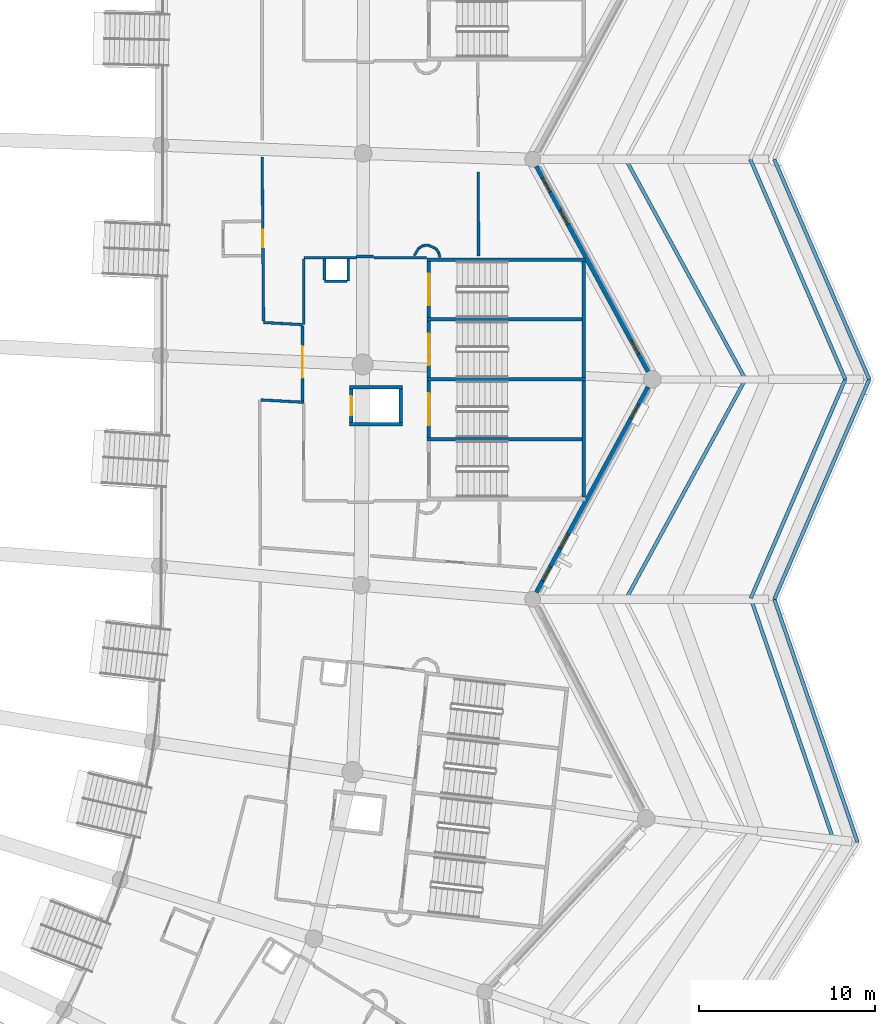
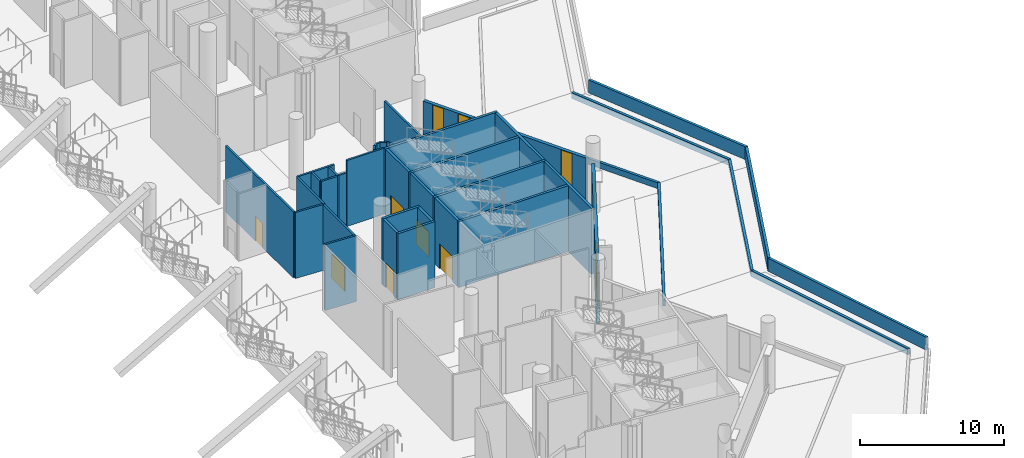
# One storey, part 58 of 173: 41 walls, 6 doors, 6 windows, 12 openings.
"""IFC4 building model written with IfcOpenShell, lengths in metres."""

from ifc_helpers import new_model, si_unit, direction, frame, frame_2d, origin, place, context, subcontext, project, spatial, rectangle, extrude, material, layer, layer_set, type_object, element, fill, save


model = new_model("IFC4")

# Units and contexts
model_context = context("Model", 3, precision=1e-05, world=origin(), true_north=direction((0.0, 1.0)))
body_context = subcontext(model_context, "Body", "Model", "MODEL_VIEW")
ifc_project = project(units=[si_unit("LENGTHUNIT", "METRE"), si_unit("AREAUNIT", "SQUARE_METRE"), si_unit("VOLUMEUNIT", "CUBIC_METRE"), si_unit("PLANEANGLEUNIT", "RADIAN"), si_unit("MASSUNIT", "GRAM", prefix="KILO")], contexts=[model_context])

# Site, building, storey
site_placement = place(None, origin())
site = spatial("IfcSite", under=ifc_project, at=site_placement, CompositionType="ELEMENT")
building_placement = place(site_placement, origin())
building = spatial("IfcBuilding", under=site, at=building_placement, Name="Meseta Stadium", CompositionType="ELEMENT")
storey_placement = place(building_placement, frame((0.0, 0.0, 18.0)))
storey = spatial("IfcBuildingStorey", under=building, at=storey_placement, Name="L03", CompositionType="ELEMENT", Elevation=18.0)

# Walls
ifc_material_1 = material(Name="Concrete C40/50", Category="concrete")
ifc_layer_1 = layer(ifc_material_1, 0.199951171875)
ifc_layer_set_1 = layer_set([ifc_layer_1], Name="Core divider wall 200")
wall_type_1 = type_object("IfcWallType", Name="Core divider wall 200", PredefinedType="SHEAR", material=ifc_layer_set_1)
for number, where, z_axis, x_axis, name in (
    (1, (97.60009765625, -34.64990234375, 0.0), (0.0, 0.0, 1.0), (-1.0, 0.0, 0.0), "Core 02 L03 stair A divider wall"),
    (2, (97.60009765625, -27.85009765625, 0.0), (0.0, 0.0, 1.0), (-1.0, 0.0, 0.0), "Core 02 L03 stair B divider wall"),
):
    element("IfcWall", number, at=place(storey_placement, frame(where, z_axis=z_axis, x_axis=x_axis)), inside=storey, type_object=wall_type_1, Name=name, PredefinedType="SHEAR", context=body_context, shape_type="SweptSolid", body=[
        extrude(rectangle(XDim=9.0, YDim=0.199951171875, at=frame_2d((4.5, 0.0))), origin(), (0.0, 0.0, 1.0), 5.60009765625),
    ])
ifc_material_2 = material(Name="Concrete C40/50", Category="concrete")
ifc_layer_2 = layer(ifc_material_2, 0.199951171875)
ifc_layer_set_2 = layer_set([ifc_layer_2], Name="Core shaft wall 200")
wall_type_2 = type_object("IfcWallType", Name="Core shaft wall 200", PredefinedType="SHEAR", material=ifc_layer_set_2)
for number, where, z_axis, x_axis, name in (
    (3, (97.60009765625, -31.25, 0.0), (0.0, 0.0, 1.0), (-1.0, 0.0, 0.0), "Core 02 L03 stair wall shared"),
    (4, (97.60009765625, -24.449951171875, 0.0), (0.0, 0.0, 1.0), (-1.0, 0.0, 0.0), "Core 02 L03 stair wall B-side"),
):
    element("IfcWall", number, at=place(storey_placement, frame(where, z_axis=z_axis, x_axis=x_axis)), inside=storey, type_object=wall_type_2, Name=name, PredefinedType="SHEAR", context=body_context, shape_type="SweptSolid", body=[
        extrude(rectangle(XDim=9.0, YDim=0.199951171875, at=frame_2d((4.5, 0.0))), origin(), (0.0, 0.0, 1.0), 5.60009765625),
    ])
for number, where, z_axis, x_axis, name in (
    (5, (97.5, -37.949951171875, 0.0), (0.0, 0.0, 1.0), (0.0, 1.0, 0.0), "Core 02 L03 stair A outer end wall"),
    (6, (97.5, -31.14990234375, 0.0), (0.0, 0.0, 1.0), (0.0, 1.0, 0.0), "Core 02 L03 stair B outer end wall"),
):
    element("IfcWall", number, at=place(storey_placement, frame(where, z_axis=z_axis, x_axis=x_axis)), inside=storey, type_object=wall_type_2, Name=name, PredefinedType="SHEAR", context=body_context, shape_type="SweptSolid", body=[
        extrude(rectangle(XDim=6.599853515625, YDim=0.199951171875, at=frame_2d((3.2998046875, 0.0))), origin(), (0.0, 0.0, 1.0), 5.60009765625),
    ])

# Wall, opening, door
wall_1_placement = place(storey_placement, frame((88.699951171875, -34.550048828125, 0.0), z_axis=(0.0, 0.0, 1.0), x_axis=(0.0, 1.0, 0.0)))
wall_1 = element("IfcWall", 7, at=wall_1_placement, inside=storey, type_object=wall_type_2, Name="Core 02 L03 stair A2 inner end wall", PredefinedType="SHEAR", context=body_context, shape_type="SweptSolid", body=[
    extrude(rectangle(XDim=3.199951171875, YDim=0.199951171875, at=frame_2d((1.60009765625, 0.0))), origin(), (0.0, 0.0, 1.0), 5.60009765625),
])
opening_1_placement = place(wall_1_placement, frame((0.699951171875, 0.0, 0.0)))
opening_1 = element("IfcOpeningElement", 8, at=opening_1_placement, cuts=wall_1, Name="Opening D1482", PredefinedType="OPENING", context=body_context, shape_type="SweptSolid", body=[
    extrude(rectangle(XDim=1.800048828125, YDim=2.10009765625, at=frame_2d((0.89990234375, 1.050048828125))), frame((0.0, 0.10986328125, 0.0), z_axis=(0.0, -1.0, 0.0), x_axis=(1.0, 0.0, 0.0)), (0.0, 0.0, 1.0), 0.219970703125),
])
ifc_material_3 = material(Name="Steel", Category="steel")
door_type_1 = type_object("IfcDoorType", Name="Stair door 1800x2100", OperationType="DOUBLE_DOOR_SINGLE_SWING", PredefinedType="DOOR", material=ifc_material_3)
door_1_placement = place(opening_1_placement, origin())
door_1 = element("IfcDoor", 9, at=door_1_placement, inside=storey, type_object=door_type_1, Name="Stair A2 door 02 L03", OperationType="DOUBLE_DOOR_SINGLE_SWING", OverallHeight=2.10009765625, OverallWidth=1.800048828125, PredefinedType="DOOR", context=body_context, shape_type="SweptSolid", body=[
    extrude(rectangle(XDim=1.800048828125, YDim=2.10009765625, at=frame_2d((0.89990234375, 1.050048828125))), frame((0.0, 0.02490234375, 0.0), z_axis=(0.0, -1.0, 0.0), x_axis=(1.0, 0.0, 0.0)), (0.0, 0.0, 1.0), 0.050048828125),
])
fill(opening_1, door_1)

wall_2_placement = place(storey_placement, frame((88.699951171875, -31.14990234375, 0.0), z_axis=(0.0, 0.0, 1.0), x_axis=(0.0, 1.0, 0.0)))
wall_2 = element("IfcWall", 10, at=wall_2_placement, inside=storey, type_object=wall_type_2, Name="Core 02 L03 stair B1 inner end wall", PredefinedType="SHEAR", context=body_context, shape_type="SweptSolid", body=[
    extrude(rectangle(XDim=3.199951171875, YDim=0.199951171875, at=frame_2d((1.60009765625, 0.0))), origin(), (0.0, 0.0, 1.0), 5.60009765625),
])
opening_2_placement = place(wall_2_placement, frame((0.699951171875, 0.0, 0.0)))
opening_2 = element("IfcOpeningElement", 11, at=opening_2_placement, cuts=wall_2, Name="Opening D1483", PredefinedType="OPENING", context=body_context, shape_type="SweptSolid", body=[
    extrude(rectangle(XDim=1.800048828125, YDim=2.10009765625, at=frame_2d((0.89990234375, 1.050048828125))), frame((0.0, 0.10986328125, 0.0), z_axis=(0.0, -1.0, 0.0), x_axis=(1.0, 0.0, 0.0)), (0.0, 0.0, 1.0), 0.219970703125),
])
door_2_placement = place(opening_2_placement, origin())
door_2 = element("IfcDoor", 12, at=door_2_placement, inside=storey, type_object=door_type_1, Name="Stair B1 door 02 L03", OperationType="DOUBLE_DOOR_SINGLE_SWING", OverallHeight=2.10009765625, OverallWidth=1.800048828125, PredefinedType="DOOR", context=body_context, shape_type="SweptSolid", body=[
    extrude(rectangle(XDim=1.800048828125, YDim=2.10009765625, at=frame_2d((0.89990234375, 1.050048828125))), frame((0.0, 0.02490234375, 0.0), z_axis=(0.0, -1.0, 0.0), x_axis=(1.0, 0.0, 0.0)), (0.0, 0.0, 1.0), 0.050048828125),
])
fill(opening_2, door_2)

wall_3_placement = place(storey_placement, frame((88.699951171875, -27.75, 0.0), z_axis=(0.0, 0.0, 1.0), x_axis=(0.0, 1.0, 0.0)))
wall_3 = element("IfcWall", 13, at=wall_3_placement, inside=storey, type_object=wall_type_2, Name="Core 02 L03 stair B2 inner end wall", PredefinedType="SHEAR", context=body_context, shape_type="SweptSolid", body=[
    extrude(rectangle(XDim=3.199951171875, YDim=0.199951171875, at=frame_2d((1.60009765625, 0.0))), origin(), (0.0, 0.0, 1.0), 5.60009765625),
])
opening_3_placement = place(wall_3_placement, frame((0.699951171875, 0.0, 0.0)))
opening_3 = element("IfcOpeningElement", 14, at=opening_3_placement, cuts=wall_3, Name="Opening D1484", PredefinedType="OPENING", context=body_context, shape_type="SweptSolid", body=[
    extrude(rectangle(XDim=1.800048828125, YDim=2.10009765625, at=frame_2d((0.89990234375, 1.050048828125))), frame((0.0, 0.10986328125, 0.0), z_axis=(0.0, -1.0, 0.0), x_axis=(1.0, 0.0, 0.0)), (0.0, 0.0, 1.0), 0.219970703125),
])
door_3_placement = place(opening_3_placement, origin())
door_3 = element("IfcDoor", 15, at=door_3_placement, inside=storey, type_object=door_type_1, Name="Stair B2 door 02 L03", OperationType="DOUBLE_DOOR_SINGLE_SWING", OverallHeight=2.10009765625, OverallWidth=1.800048828125, PredefinedType="DOOR", context=body_context, shape_type="SweptSolid", body=[
    extrude(rectangle(XDim=1.800048828125, YDim=2.10009765625, at=frame_2d((0.89990234375, 1.050048828125))), frame((0.0, 0.02490234375, 0.0), z_axis=(0.0, -1.0, 0.0), x_axis=(1.0, 0.0, 0.0)), (0.0, 0.0, 1.0), 0.050048828125),
])
fill(opening_3, door_3)

# Walls
for number, where, z_axis, x_axis, name in (
    (16, (87.199951171875, -33.800048828125, 0.0), (0.0, 0.0, 1.0), (-1.0, 0.0, 0.0), "Core 02 L03 lift shaft wall left"),
    (17, (87.199951171875, -31.699951171875, 0.0), (0.0, 0.0, 1.0), (-1.0, 0.0, 0.0), "Core 02 L03 lift shaft wall right"),
):
    element("IfcWall", number, at=place(storey_placement, frame(where, z_axis=z_axis, x_axis=x_axis)), inside=storey, type_object=wall_type_2, Name=name, PredefinedType="SHEAR", context=body_context, shape_type="SweptSolid", body=[
        extrude(rectangle(XDim=3.0, YDim=0.199951171875, at=frame_2d((1.5, 0.0))), origin(), (0.0, 0.0, 1.0), 5.60009765625),
    ])
wall_4_placement = place(storey_placement, frame((87.10009765625, -33.699951171875, 0.0), z_axis=(0.0, 0.0, 1.0), x_axis=(0.0, 1.0, 0.0)))
element("IfcWall", 18, at=wall_4_placement, inside=storey, type_object=wall_type_2, Name="Core 02 L03 lift shaft back wall", PredefinedType="SHEAR", context=body_context, shape_type="SweptSolid", body=[
    extrude(rectangle(XDim=1.89990234375, YDim=0.199951171875, at=frame_2d((0.949951171875, 0.0))), origin(), (0.0, 0.0, 1.0), 5.60009765625),
])

# Wall, opening, door
wall_5_placement = place(storey_placement, frame((84.300048828125, -33.699951171875, 0.0), z_axis=(0.0, 0.0, 1.0), x_axis=(0.0, 1.0, 0.0)))
wall_5 = element("IfcWall", 19, at=wall_5_placement, inside=storey, type_object=wall_type_2, Name="Core 02 L03 lift shaft front wall", PredefinedType="SHEAR", context=body_context, shape_type="SweptSolid", body=[
    extrude(rectangle(XDim=1.89990234375, YDim=0.199951171875, at=frame_2d((0.949951171875, 0.0))), origin(), (0.0, 0.0, 1.0), 5.60009765625),
])
opening_4_placement = place(wall_5_placement, frame((0.39990234375, 0.0, 0.0)))
opening_4 = element("IfcOpeningElement", 20, at=opening_4_placement, cuts=wall_5, Name="Opening LD11", PredefinedType="OPENING", context=body_context, shape_type="SweptSolid", body=[
    extrude(rectangle(XDim=1.10009765625, YDim=2.10009765625, at=frame_2d((0.550048828125, 1.050048828125))), frame((0.0, 0.10986328125, 0.0), z_axis=(0.0, -1.0, 0.0), x_axis=(1.0, 0.0, 0.0)), (0.0, 0.0, 1.0), 0.219970703125),
])
ifc_material_4 = material(Name="Steel", Category="steel")
door_type_2 = type_object("IfcDoorType", Name="Lift landing door 1100x2100", OperationType="SLIDING_TO_LEFT", PredefinedType="DOOR", material=ifc_material_4)
door_4_placement = place(opening_4_placement, origin())
door_4 = element("IfcDoor", 21, at=door_4_placement, inside=storey, type_object=door_type_2, Name="Lift landing door LD11", OperationType="SLIDING_TO_LEFT", OverallHeight=2.10009765625, OverallWidth=1.10009765625, PredefinedType="DOOR", context=body_context, shape_type="SweptSolid", body=[
    extrude(rectangle(XDim=1.10009765625, YDim=2.10009765625, at=frame_2d((0.550048828125, 1.050048828125))), frame((0.0, 0.02490234375, 0.0), z_axis=(0.0, -1.0, 0.0), x_axis=(1.0, 0.0, 0.0)), (0.0, 0.0, 1.0), 0.050048828125),
])
fill(opening_4, door_4)

# Walls
ifc_material_5 = material(Name="Masonry blockwork", Category="masonry")
ifc_layer_3 = layer(ifc_material_5, 0.14990234375)
ifc_layer_set_3 = layer_set([ifc_layer_3], Name="Partition 150")
wall_type_3 = type_object("IfcWallType", Name="Partition 150", PredefinedType="PARTITIONING", material=ifc_layer_set_3)
wall_6_placement = place(storey_placement, frame((79.16943359375, -32.4208984375, 0.0), z_axis=(0.0, 0.0, 1.0), x_axis=(0.998499599384, -0.054759017805, 0.0)))
element("IfcWall", 22, at=wall_6_placement, inside=storey, type_object=wall_type_3, Name="Partition L03 L03-cell00-1-0b2", PredefinedType="PARTITIONING", context=body_context, shape_type="SweptSolid", body=[
    extrude(rectangle(XDim=2.434326171875, YDim=0.14990234375, at=frame_2d((1.21728515625, 0.0))), origin(), (0.0, 0.0, 1.0), 5.60009765625),
])
for number, where, z_axis, x_axis, name in (
    (23, (88.56005859375, -24.35009765625, 0.0), (0.0, 0.0, 1.0), (-1.0, 0.0, 0.0), "Partition L03 L03-cell01-1-0"),
    (24, (84.5830078125, -24.35009765625, 0.0), (0.0, 0.0, 1.0), (-1.0, 0.0, 0.0), "Partition L03 L03-cell01-1-0"),
):
    element("IfcWall", number, at=place(storey_placement, frame(where, z_axis=z_axis, x_axis=x_axis)), inside=storey, type_object=wall_type_3, Name=name, PredefinedType="PARTITIONING", context=body_context, shape_type="SweptSolid", body=[
        extrude(rectangle(XDim=2.98291015625, YDim=0.14990234375, at=frame_2d((1.491455078125, 0.0))), origin(), (0.0, 0.0, 1.0), 5.60009765625),
    ])
wall_7_placement = place(storey_placement, frame((81.60009765625, -24.425048828125, 0.0), z_axis=(0.0, 0.0, 1.0), x_axis=(0.0, -1.0, 0.0)))
element("IfcWall", 25, at=wall_7_placement, inside=storey, type_object=wall_type_3, Name="Partition L03 L03-cell01-1-0", PredefinedType="PARTITIONING", context=body_context, shape_type="SweptSolid", body=[
    extrude(rectangle(XDim=3.72265625, YDim=0.14990234375, at=frame_2d((1.861328125, 0.0))), origin(), (0.0, 0.0, 1.0), 5.60009765625),
])
wall_8_placement = place(storey_placement, frame((81.52490234375, -28.1435546875, 0.0), z_axis=(0.0, 0.0, 1.0), x_axis=(-0.99849876886, 0.054774159837, 0.0)))
element("IfcWall", 26, at=wall_8_placement, inside=storey, type_object=wall_type_3, Name="Partition L03 L03-cell01-1-0", PredefinedType="PARTITIONING", context=body_context, shape_type="SweptSolid", body=[
    extrude(rectangle(XDim=2.21533203125, YDim=0.14990234375, at=frame_2d((1.107666015625, 0.0))), origin(), (0.0, 0.0, 1.0), 5.60009765625),
])

# Wall, opening, door
wall_9_placement = place(storey_placement, frame((79.3125, -27.947021484375, 0.0), z_axis=(0.0, 0.0, 1.0), x_axis=(-0.008486924198, 0.99996398541, 0.0)))
wall_9 = element("IfcWall", 27, at=wall_9_placement, inside=storey, type_object=wall_type_3, Name="Partition L03 L03-cell01-1-0", PredefinedType="PARTITIONING", context=body_context, shape_type="SweptSolid", body=[
    extrude(rectangle(XDim=9.3203125, YDim=0.14990234375, at=frame_2d((4.66015625, 0.0))), origin(), (0.0, 0.0, 1.0), 5.60009765625),
])
opening_5_placement = place(wall_9_placement, frame((4.199951171875, 0.0, 0.0)))
opening_5 = element("IfcOpeningElement", 28, at=opening_5_placement, cuts=wall_9, Name="Opening D1455", PredefinedType="OPENING", context=body_context, shape_type="SweptSolid", body=[
    extrude(rectangle(XDim=1.0, YDim=2.10009765625, at=frame_2d((0.5, 1.050048828125))), frame((0.0, 0.0849609375, 0.0), z_axis=(0.0, -1.0, 0.0), x_axis=(1.0, 0.0, 0.0)), (0.0, 0.0, 1.0), 0.169921875),
])
ifc_material_6 = material(Name="Steel", Category="steel")
door_type_3 = type_object("IfcDoorType", Name="Fire door 1000x2100 EI2 60", OperationType="NOTDEFINED", PredefinedType="DOOR", material=ifc_material_6)
door_5_placement = place(opening_5_placement, origin())
door_5 = element("IfcDoor", 29, at=door_5_placement, inside=storey, type_object=door_type_3, Name="Room door L03 L03-cell01-1-0", OperationType="SINGLE_SWING_RIGHT", OverallHeight=2.10009765625, OverallWidth=1.0, PredefinedType="DOOR", context=body_context, shape_type="SweptSolid", body=[
    extrude(rectangle(XDim=1.0, YDim=2.10009765625, at=frame_2d((0.5, 1.050048828125))), frame((0.0, 0.02490234375, 0.0), z_axis=(0.0, -1.0, 0.0), x_axis=(1.0, 0.0, 0.0)), (0.0, 0.0, 1.0), 0.050048828125),
])
fill(opening_5, door_5)

# Walls
wall_10_placement = place(storey_placement, frame((91.510986328125, -19.46728515625, 0.0), z_axis=(0.0, 0.0, 1.0), x_axis=(0.00367531974, -0.99999324599, 0.0)))
element("IfcWall", 30, at=wall_10_placement, inside=storey, type_object=wall_type_3, Name="Partition L03 L03-cell01-1-0", PredefinedType="PARTITIONING", context=body_context, shape_type="SweptSolid", body=[
    extrude(rectangle(XDim=4.78271484375, YDim=0.14990234375, at=frame_2d((2.391357421875, 0.0))), origin(), (0.0, 0.0, 1.0), 5.60009765625),
])
wall_11_placement = place(storey_placement, frame((84.125, -25.675048828125, 0.0), z_axis=(0.0, 0.0, 1.0), x_axis=(0.0, 1.0, 0.0)))
element("IfcWall", 31, at=wall_11_placement, inside=storey, type_object=wall_type_3, Name="Pressurisation shaft wall L03 core 02", PredefinedType="PARTITIONING", context=body_context, shape_type="SweptSolid", body=[
    extrude(rectangle(XDim=1.2490234375, YDim=0.14990234375, at=frame_2d((0.62451171875, 0.0))), origin(), (0.0, 0.0, 1.0), 5.60009765625),
])
wall_12_placement = place(storey_placement, frame((82.77490234375, -24.426025390625, 0.0), z_axis=(0.0, 0.0, 1.0), x_axis=(0.0, -1.0, 0.0)))
element("IfcWall", 32, at=wall_12_placement, inside=storey, type_object=wall_type_3, Name="Pressurisation shaft wall L03 core 02", PredefinedType="PARTITIONING", context=body_context, shape_type="SweptSolid", body=[
    extrude(rectangle(XDim=1.174072265625, YDim=0.14990234375, at=frame_2d((0.5869140625, 0.0))), origin(), (0.0, 0.0, 1.0), 5.60009765625),
])
wall_13_placement = place(storey_placement, frame((82.77490234375, -25.675048828125, 0.0), z_axis=(0.0, 0.0, 1.0), x_axis=(1.0, 0.0, 0.0)))
element("IfcWall", 33, at=wall_13_placement, inside=storey, type_object=wall_type_3, Name="Pressurisation shaft wall L03 core 02", PredefinedType="PARTITIONING", context=body_context, shape_type="SweptSolid", body=[
    extrude(rectangle(XDim=1.275146484375, YDim=0.14990234375, at=frame_2d((0.6376953125, 0.0))), origin(), (0.0, 0.0, 1.0), 5.60009765625),
])

# Wall, opening, door
wall_14_placement = place(storey_placement, frame((81.52490234375, -28.219482421875, 0.0), z_axis=(0.0, 0.0, 1.0), x_axis=(0.0, -1.0, 0.0)))
wall_14 = element("IfcWall", 34, at=wall_14_placement, inside=storey, type_object=wall_type_3, Name="Stair vestibule wall L03 core 02", PredefinedType="PARTITIONING", context=body_context, shape_type="SweptSolid", body=[
    extrude(rectangle(XDim=4.24951171875, YDim=0.14990234375, at=frame_2d((2.124755859375, 0.0))), origin(), (0.0, 0.0, 1.0), 5.60009765625),
])
opening_6_placement = place(wall_14_placement, frame((1.14990234375, 0.0, 0.0)))
opening_6 = element("IfcOpeningElement", 35, at=opening_6_placement, cuts=wall_14, Name="Opening D1459", PredefinedType="OPENING", context=body_context, shape_type="SweptSolid", body=[
    extrude(rectangle(XDim=1.800048828125, YDim=2.10009765625, at=frame_2d((0.89990234375, 1.050048828125))), frame((0.0, 0.0849609375, 0.0), z_axis=(0.0, -1.0, 0.0), x_axis=(1.0, 0.0, 0.0)), (0.0, 0.0, 1.0), 0.169921875),
])
ifc_material_7 = material(Name="Steel", Category="steel")
door_type_4 = type_object("IfcDoorType", Name="Fire double door 1800x2100 EI2 60", OperationType="DOUBLE_DOOR_SINGLE_SWING", PredefinedType="DOOR", material=ifc_material_7)
door_6_placement = place(opening_6_placement, origin())
door_6 = element("IfcDoor", 36, at=door_6_placement, inside=storey, type_object=door_type_4, Name="Stair vestibule door L03 core 02", OperationType="DOUBLE_DOOR_SINGLE_SWING", OverallHeight=2.10009765625, OverallWidth=1.800048828125, PredefinedType="DOOR", context=body_context, shape_type="SweptSolid", body=[
    extrude(rectangle(XDim=1.800048828125, YDim=2.10009765625, at=frame_2d((0.89990234375, 1.050048828125))), frame((0.0, 0.02490234375, 0.0), z_axis=(0.0, -1.0, 0.0), x_axis=(1.0, 0.0, 0.0)), (0.0, 0.0, 1.0), 0.050048828125),
])
fill(opening_6, door_6)

# Walls
wall_15_placement = place(storey_placement, frame((89.329833984375, -24.321533203125, 0.0), z_axis=(0.0, 0.0, 1.0), x_axis=(-0.230253879357, 0.973130593004, 0.0)))
element("IfcWall", 37, at=wall_15_placement, inside=storey, type_object=wall_type_3, Name="Stair vestibule wall L03 core 02", PredefinedType="PARTITIONING", context=body_context, shape_type="SweptSolid", body=[
    extrude(rectangle(XDim=0.257568359375, YDim=0.14990234375, at=frame_2d((0.12890625, 0.0))), origin(), (0.0, 0.0, 1.0), 5.60009765625),
])
wall_16_placement = place(storey_placement, frame((89.2705078125, -24.07080078125, 0.0), z_axis=(0.0, 0.0, 1.0), x_axis=(-0.555678694372, 0.831397130511, 0.0)))
element("IfcWall", 38, at=wall_16_placement, inside=storey, type_object=wall_type_3, Name="Stair vestibule wall L03 core 02", PredefinedType="PARTITIONING", context=body_context, shape_type="SweptSolid", body=[
    extrude(rectangle(XDim=0.287841796875, YDim=0.14990234375, at=frame_2d((0.14404296875, 0.0))), origin(), (0.0, 0.0, 1.0), 5.60009765625),
])
wall_17_placement = place(storey_placement, frame((89.110595703125, -23.83154296875, 0.0), z_axis=(0.0, 0.0, 1.0), x_axis=(-0.90398642908, 0.427561148889, 0.0)))
element("IfcWall", 39, at=wall_17_placement, inside=storey, type_object=wall_type_3, Name="Stair vestibule wall L03 core 02", PredefinedType="PARTITIONING", context=body_context, shape_type="SweptSolid", body=[
    extrude(rectangle(XDim=0.479736328125, YDim=0.14990234375, at=frame_2d((0.23974609375, 0.0))), origin(), (0.0, 0.0, 1.0), 5.60009765625),
])
for number, where, z_axis, x_axis, name in (
    (40, (88.677001953125, -23.62646484375, 0.0), (0.0, 0.0, 1.0), (-0.995194714408, -0.097915680128, 0.0), "Stair vestibule wall L03 core 02"),
    (41, (88.38916015625, -23.65478515625, 0.0), (0.0, 0.0, 1.0), (-0.881768319, -0.471682765858, 0.0), "Stair vestibule wall L03 core 02"),
):
    element("IfcWall", number, at=place(storey_placement, frame(where, z_axis=z_axis, x_axis=x_axis)), inside=storey, type_object=wall_type_3, Name=name, PredefinedType="PARTITIONING", context=body_context, shape_type="SweptSolid", body=[
        extrude(rectangle(XDim=0.289306640625, YDim=0.14990234375, at=frame_2d((0.14453125, 0.0))), origin(), (0.0, 0.0, 1.0), 5.60009765625),
    ])
wall_18_placement = place(storey_placement, frame((88.134033203125, -23.791259765625, 0.0), z_axis=(0.0, 0.0, 1.0), x_axis=(-0.513060623194, -0.858352373404, 0.0)))
element("IfcWall", 42, at=wall_18_placement, inside=storey, type_object=wall_type_3, Name="Stair vestibule wall L03 core 02", PredefinedType="PARTITIONING", context=body_context, shape_type="SweptSolid", body=[
    extrude(rectangle(XDim=0.50048828125, YDim=0.14990234375, at=frame_2d((0.250244140625, 0.0))), origin(), (0.0, 0.0, 1.0), 5.60009765625),
])
wall_19_placement = place(storey_placement, frame((85.567138671875, -24.27490234375, 0.0), z_axis=(0.0, 0.0, 1.0), x_axis=(-1.0, 0.0, 0.0)))
element("IfcWall", 43, at=wall_19_placement, inside=storey, type_object=wall_type_3, Name="Stair vestibule wall L03 core 02", PredefinedType="PARTITIONING", context=body_context, shape_type="SweptSolid", body=[
    extrude(rectangle(XDim=0.97412109375, YDim=0.14990234375, at=frame_2d((0.487060546875, 0.0))), origin(), (0.0, 0.0, 1.0), 4.5),
])
ifc_material_8 = material(Name="Precast concrete C40/50", Category="concrete")
ifc_layer_4 = layer(ifc_material_8, 0.199951171875)
ifc_layer_set_4 = layer_set([ifc_layer_4], Name="Planter kerb 200")
wall_type_4 = type_object("IfcWallType", Name="Planter kerb 200", PredefinedType="USERDEFINED", material=ifc_layer_set_4)
wall_20_placement = place(storey_placement, frame((106.966064453125, -18.75, 0.0), z_axis=(0.0, 0.0, 1.0), x_axis=(0.396570645327, -0.918004206562, 0.0)))
element("IfcWall", 44, at=wall_20_placement, inside=storey, type_object=wall_type_4, Name="Planter kerb 8.1.2", ObjectType="PLANTER", PredefinedType="USERDEFINED", context=body_context, shape_type="SweptSolid", body=[
    extrude(rectangle(XDim=13.616455078125, YDim=0.199951171875, at=frame_2d((6.80810546875, 0.0))), origin(), (0.0, 0.0, 1.0), 0.5),
])
wall_21_placement = place(storey_placement, frame((112.365966796875, -31.25, 0.0), z_axis=(0.0, 0.0, 1.0), x_axis=(-0.396570979305, -0.918004062286, 0.0)))
element("IfcWall", 45, at=wall_21_placement, inside=storey, type_object=wall_type_4, Name="Planter kerb 8.1.3", ObjectType="PLANTER", PredefinedType="USERDEFINED", context=body_context, shape_type="SweptSolid", body=[
    extrude(rectangle(XDim=13.548095703125, YDim=0.199951171875, at=frame_2d((6.77392578125, 0.0))), origin(), (0.0, 0.0, 1.0), 0.5),
])
wall_22_placement = place(storey_placement, frame((106.9931640625, -43.687255859375, 0.0), z_axis=(0.0, 0.0, 1.0), x_axis=(0.323740880092, -0.946145782931, 0.0)))
element("IfcWall", 46, at=wall_22_placement, inside=storey, type_object=wall_type_4, Name="Planter kerb 8.1.4", ObjectType="PLANTER", PredefinedType="USERDEFINED", context=body_context, shape_type="SweptSolid", body=[
    extrude(rectangle(XDim=14.48681640625, YDim=0.199951171875, at=frame_2d((7.243408203125, 0.0))), origin(), (0.0, 0.0, 1.0), 0.5),
])
wall_23_placement = place(storey_placement, frame((99.864501953125, -43.80322265625, 0.0), z_axis=(0.0, 0.0, 1.0), x_axis=(0.477875105319, 0.878427790838, 0.0)))
element("IfcWall", 47, at=wall_23_placement, inside=storey, type_object=wall_type_4, Name="Planter kerb 8.1.11", ObjectType="PLANTER", PredefinedType="USERDEFINED", context=body_context, shape_type="SweptSolid", body=[
    extrude(rectangle(XDim=14.29052734375, YDim=0.199951171875, at=frame_2d((7.145263671875, 0.0))), origin(), (0.0, 0.0, 1.0), 0.5),
])
wall_24_placement = place(storey_placement, frame((106.693603515625, -31.25, 0.0), z_axis=(0.0, 0.0, 1.0), x_axis=(-0.477869737994, 0.878430710705, 0.0)))
element("IfcWall", 48, at=wall_24_placement, inside=storey, type_object=wall_type_4, Name="Planter kerb 8.1.12", ObjectType="PLANTER", PredefinedType="USERDEFINED", context=body_context, shape_type="SweptSolid", body=[
    extrude(rectangle(XDim=14.22998046875, YDim=0.199951171875, at=frame_2d((7.114990234375, 0.0))), origin(), (0.0, 0.0, 1.0), 0.5),
])

# Wall, openings, windows
ifc_material_9 = material(Name="White precast concrete C40/50", Category="concrete")
ifc_layer_5 = layer(ifc_material_9, 0.25)
ifc_layer_set_5 = layer_set([ifc_layer_5], Name="Pleated panel wall 250")
wall_type_5 = type_object("IfcWallType", Name="Pleated panel wall 250", PredefinedType="SOLIDWALL", material=ifc_layer_set_5)
wall_25_placement = place(storey_placement, frame((101.1611328125, -31.68896484375, 0.0), z_axis=(0.0, 0.0, 1.0), x_axis=(-0.477867771117, -0.878431780691, 0.0)))
wall_25 = element("IfcWall", 49, at=wall_25_placement, inside=storey, type_object=wall_type_5, Name="Pleated facade panel L03 F01", PredefinedType="SOLIDWALL", context=body_context, shape_type="SweptSolid", body=[
    extrude(rectangle(XDim=13.2802734375, YDim=0.25, at=frame_2d((6.64013671875, 0.0))), origin(), (0.0, 0.0, 1.0), 4.300048828125),
])
opening_7_placement = place(wall_25_placement, frame((11.630126953125, 0.0, 1.0)))
opening_7 = element("IfcOpeningElement", 50, at=opening_7_placement, cuts=wall_25, Name="Opening W153", PredefinedType="OPENING", context=body_context, shape_type="SweptSolid", body=[
    extrude(rectangle(XDim=0.89990234375, YDim=3.25, at=frame_2d((0.449951171875, 1.625))), frame((0.0, 0.135009765625, 0.0), z_axis=(0.0, -1.0, 0.0), x_axis=(1.0, 0.0, 0.0)), (0.0, 0.0, 1.0), 0.27001953125),
])
opening_8_placement = place(wall_25_placement, frame((9.530029296875, 0.0, 1.0)))
opening_8 = element("IfcOpeningElement", 51, at=opening_8_placement, cuts=wall_25, Name="Opening W161", PredefinedType="OPENING", context=body_context, shape_type="SweptSolid", body=[
    extrude(rectangle(XDim=0.89990234375, YDim=3.25, at=frame_2d((0.449951171875, 1.625))), frame((0.0, 0.135009765625, 0.0), z_axis=(0.0, -1.0, 0.0), x_axis=(1.0, 0.0, 0.0)), (0.0, 0.0, 1.0), 0.27001953125),
])
opening_9_placement = place(wall_25_placement, frame((1.130126953125, 0.0, 1.0)))
opening_9 = element("IfcOpeningElement", 52, at=opening_9_placement, cuts=wall_25, Name="Opening W171", PredefinedType="OPENING", context=body_context, shape_type="SweptSolid", body=[
    extrude(rectangle(XDim=0.89990234375, YDim=3.25, at=frame_2d((0.449951171875, 1.625))), frame((0.0, 0.135009765625, 0.0), z_axis=(0.0, -1.0, 0.0), x_axis=(1.0, 0.0, 0.0)), (0.0, 0.0, 1.0), 0.27001953125),
])
ifc_material_10 = material(Name="Aluminium", Category="aluminium")
window_type = type_object("IfcWindowType", Name="Slot window 900x3250", PartitioningType="SINGLE_PANEL", PredefinedType="WINDOW", material=ifc_material_10)
window_1_placement = place(opening_7_placement, origin())
window_1 = element("IfcWindow", 53, at=window_1_placement, inside=storey, type_object=window_type, Name="Slot window L03 F01.1", OverallHeight=3.25, OverallWidth=0.89990234375, PartitioningType="SINGLE_PANEL", PredefinedType="WINDOW", context=body_context, shape_type="SweptSolid", body=[
    extrude(rectangle(XDim=0.89990234375, YDim=3.25, at=frame_2d((0.449951171875, 1.625))), frame((0.0, 0.030029296875, 0.0), z_axis=(0.0, -1.0, 0.0), x_axis=(1.0, 0.0, 0.0)), (0.0, 0.0, 1.0), 0.06005859375),
])
fill(opening_7, window_1)
window_2_placement = place(opening_8_placement, origin())
window_2 = element("IfcWindow", 54, at=window_2_placement, inside=storey, type_object=window_type, Name="Slot window L03 F01.2", OverallHeight=3.25, OverallWidth=0.89990234375, PartitioningType="SINGLE_PANEL", PredefinedType="WINDOW", context=body_context, shape_type="SweptSolid", body=[
    extrude(rectangle(XDim=0.89990234375, YDim=3.25, at=frame_2d((0.449951171875, 1.625))), frame((0.0, 0.030029296875, 0.0), z_axis=(0.0, -1.0, 0.0), x_axis=(1.0, 0.0, 0.0)), (0.0, 0.0, 1.0), 0.06005859375),
])
fill(opening_8, window_2)
window_3_placement = place(opening_9_placement, origin())
window_3 = element("IfcWindow", 55, at=window_3_placement, inside=storey, type_object=window_type, Name="Slot window L03 F01.6", OverallHeight=3.25, OverallWidth=0.89990234375, PartitioningType="SINGLE_PANEL", PredefinedType="WINDOW", context=body_context, shape_type="SweptSolid", body=[
    extrude(rectangle(XDim=0.89990234375, YDim=3.25, at=frame_2d((0.449951171875, 1.625))), frame((0.0, 0.030029296875, 0.0), z_axis=(0.0, -1.0, 0.0), x_axis=(1.0, 0.0, 0.0)), (0.0, 0.0, 1.0), 0.06005859375),
])
fill(opening_9, window_3)

wall_26_placement = place(storey_placement, frame((94.81494140625, -19.145263671875, 0.0), z_axis=(0.0, 0.0, 1.0), x_axis=(0.477867771117, -0.878431780691, 0.0)))
wall_26 = element("IfcWall", 56, at=wall_26_placement, inside=storey, type_object=wall_type_5, Name="Pleated facade panel L03 F02", PredefinedType="SOLIDWALL", context=body_context, shape_type="SweptSolid", body=[
    extrude(rectangle(XDim=13.2802734375, YDim=0.25, at=frame_2d((6.64013671875, 0.0))), origin(), (0.0, 0.0, 1.0), 4.300048828125),
])
opening_10_placement = place(wall_26_placement, frame((0.750244140625, 0.0, 1.0)))
opening_10 = element("IfcOpeningElement", 57, at=opening_10_placement, cuts=wall_26, Name="Opening W154", PredefinedType="OPENING", context=body_context, shape_type="SweptSolid", body=[
    extrude(rectangle(XDim=0.89990234375, YDim=3.25, at=frame_2d((0.449951171875, 1.625))), frame((0.0, 0.135009765625, 0.0), z_axis=(0.0, -1.0, 0.0), x_axis=(1.0, 0.0, 0.0)), (0.0, 0.0, 1.0), 0.27001953125),
])
opening_11_placement = place(wall_26_placement, frame((2.85009765625, 0.0, 1.0)))
opening_11 = element("IfcOpeningElement", 58, at=opening_11_placement, cuts=wall_26, Name="Opening W162", PredefinedType="OPENING", context=body_context, shape_type="SweptSolid", body=[
    extrude(rectangle(XDim=0.89990234375, YDim=3.25, at=frame_2d((0.449951171875, 1.625))), frame((0.0, 0.135009765625, 0.0), z_axis=(0.0, -1.0, 0.0), x_axis=(1.0, 0.0, 0.0)), (0.0, 0.0, 1.0), 0.27001953125),
])
opening_12_placement = place(wall_26_placement, frame((11.250244140625, 0.0, 1.0)))
opening_12 = element("IfcOpeningElement", 59, at=opening_12_placement, cuts=wall_26, Name="Opening W172", PredefinedType="OPENING", context=body_context, shape_type="SweptSolid", body=[
    extrude(rectangle(XDim=0.89990234375, YDim=3.25, at=frame_2d((0.449951171875, 1.625))), frame((0.0, 0.135009765625, 0.0), z_axis=(0.0, -1.0, 0.0), x_axis=(1.0, 0.0, 0.0)), (0.0, 0.0, 1.0), 0.27001953125),
])
window_4_placement = place(opening_10_placement, origin())
window_4 = element("IfcWindow", 60, at=window_4_placement, inside=storey, type_object=window_type, Name="Slot window L03 F02.1", OverallHeight=3.25, OverallWidth=0.89990234375, PartitioningType="SINGLE_PANEL", PredefinedType="WINDOW", context=body_context, shape_type="SweptSolid", body=[
    extrude(rectangle(XDim=0.89990234375, YDim=3.25, at=frame_2d((0.449951171875, 1.625))), frame((0.0, 0.030029296875, 0.0), z_axis=(0.0, -1.0, 0.0), x_axis=(1.0, 0.0, 0.0)), (0.0, 0.0, 1.0), 0.06005859375),
])
fill(opening_10, window_4)
window_5_placement = place(opening_11_placement, origin())
window_5 = element("IfcWindow", 61, at=window_5_placement, inside=storey, type_object=window_type, Name="Slot window L03 F02.2", OverallHeight=3.25, OverallWidth=0.89990234375, PartitioningType="SINGLE_PANEL", PredefinedType="WINDOW", context=body_context, shape_type="SweptSolid", body=[
    extrude(rectangle(XDim=0.89990234375, YDim=3.25, at=frame_2d((0.449951171875, 1.625))), frame((0.0, 0.030029296875, 0.0), z_axis=(0.0, -1.0, 0.0), x_axis=(1.0, 0.0, 0.0)), (0.0, 0.0, 1.0), 0.06005859375),
])
fill(opening_11, window_5)
window_6_placement = place(opening_12_placement, origin())
window_6 = element("IfcWindow", 62, at=window_6_placement, inside=storey, type_object=window_type, Name="Slot window L03 F02.6", OverallHeight=3.25, OverallWidth=0.89990234375, PartitioningType="SINGLE_PANEL", PredefinedType="WINDOW", context=body_context, shape_type="SweptSolid", body=[
    extrude(rectangle(XDim=0.89990234375, YDim=3.25, at=frame_2d((0.449951171875, 1.625))), frame((0.0, 0.030029296875, 0.0), z_axis=(0.0, -1.0, 0.0), x_axis=(1.0, 0.0, 0.0)), (0.0, 0.0, 1.0), 0.06005859375),
])
fill(opening_12, window_6)

# Walls
ifc_material_11 = material(Name="Concrete C40/50", Category="concrete")
ifc_layer_6 = layer(ifc_material_11, 0.199951171875)
ifc_layer_set_6 = layer_set([ifc_layer_6], Name="Roof parapet 200")
wall_type_6 = type_object("IfcWallType", Name="Roof parapet 200", PredefinedType="PARAPET", material=ifc_layer_set_6)
wall_27_placement = place(storey_placement, frame((108.32763671875, -18.75, 0.0), z_axis=(0.0, 0.0, 1.0), x_axis=(0.396585755151, -0.917997679088, 0.0)))
element("IfcWall", 63, at=wall_27_placement, inside=storey, type_object=wall_type_6, Name="Roof parapet 8.50.1", PredefinedType="PARAPET", context=body_context, shape_type="SweptSolid", body=[
    extrude(rectangle(XDim=13.61669921875, YDim=0.199951171875, at=frame_2d((6.808349609375, 0.0))), origin(), (0.0, 0.0, 1.0), 1.10009765625),
])
wall_28_placement = place(storey_placement, frame((113.727783203125, -31.25, 0.0), z_axis=(0.0, 0.0, 1.0), x_axis=(-0.39657935086, -0.91800044579, 0.0)))
element("IfcWall", 64, at=wall_28_placement, inside=storey, type_object=wall_type_6, Name="Roof parapet 8.51.1", PredefinedType="PARAPET", context=body_context, shape_type="SweptSolid", body=[
    extrude(rectangle(XDim=13.605224609375, YDim=0.199951171875, at=frame_2d((6.802734375, 0.0))), origin(), (0.0, 0.0, 1.0), 1.10009765625),
])
wall_29_placement = place(storey_placement, frame((108.332275390625, -43.739501953125, 0.0), z_axis=(0.0, 0.0, 1.0), x_axis=(0.323736916721, -0.94614713906, 0.0)))
element("IfcWall", 65, at=wall_29_placement, inside=storey, type_object=wall_type_6, Name="Roof parapet 8.52.1", PredefinedType="PARAPET", context=body_context, shape_type="SweptSolid", body=[
    extrude(rectangle(XDim=14.6015625, YDim=0.199951171875, at=frame_2d((7.30078125, 0.0))), origin(), (0.0, 0.0, 1.0), 1.10009765625),
])

save(model, "model.ifc")
